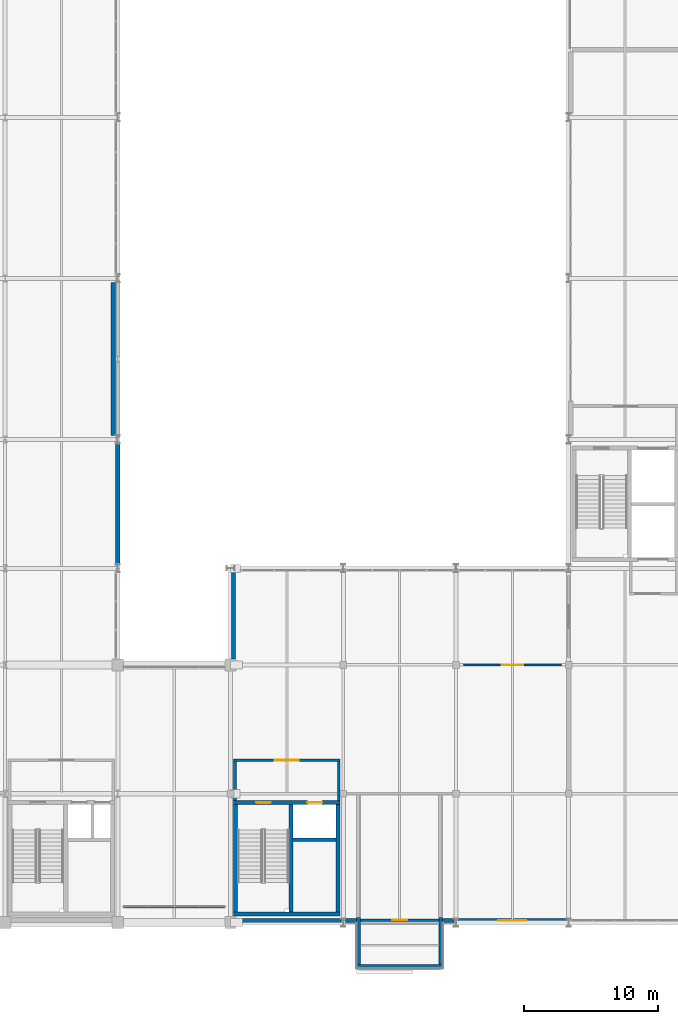
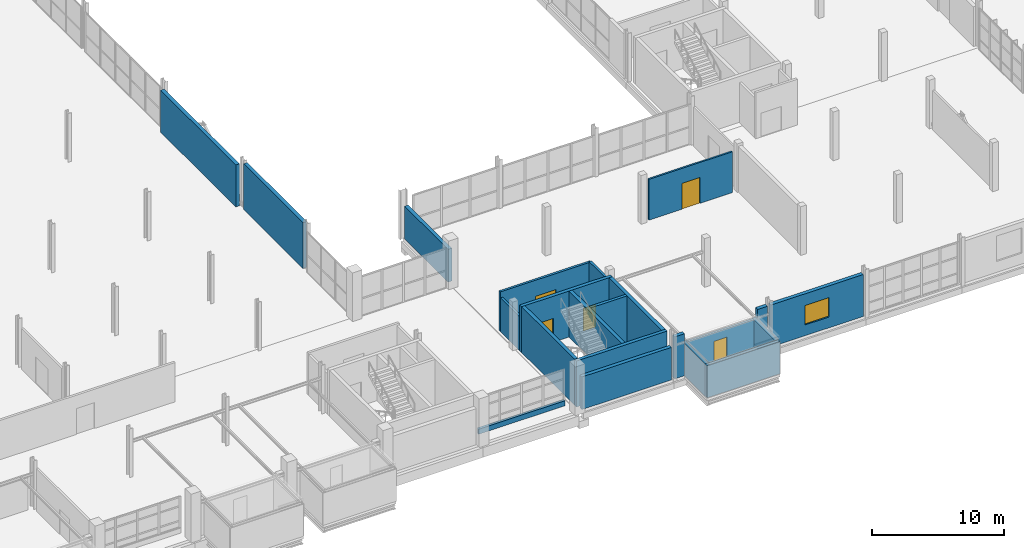
# One storey, part 98 of 109: 22 walls, 5 doors, 1 window, 6 openings.
"""IFC4 building model written with IfcOpenShell, lengths in metres."""

import ifcopenshell
import ifcopenshell.guid

model = None  # the IFC model being written
_history = None  # IfcOwnerHistory: only IFC2X3 demands one
_inside = {}  # id of a spatial element -> (the spatial element, [elements in it])
_under = {}  # id of a project, library or spatial element -> (it, [spatial elements below it])
_declared = {}  # id of a project -> (the project, [libraries it declares])
_typed = {}  # id of a type object -> (the type object, [elements of that type])
_made_of = {}  # id of a material, layer set ... -> (it, [elements and type objects made of it])


def new_model(schema):
    """Start an empty IFC model of exactly this schema.

    Asked for "IFC4X3", IfcOpenShell would pick the latest addendum, in which some entities
    have other attributes; the version numbers below select the first issue.
    IFC2X3 requires an IfcOwnerHistory on every rooted entity: one is made here for all.
    """
    global model, _history
    if schema == "IFC4X3":
        model = ifcopenshell.file(schema_version=(4, 3, 0, 0))
    else:
        model = ifcopenshell.file(schema=schema)
    _inside.clear()
    _under.clear()
    _declared.clear()
    _typed.clear()
    _made_of.clear()
    _history = None
    if model.schema == "IFC2X3":
        org = make("IfcOrganization", Name="unknown")
        user = make(
            "IfcPersonAndOrganization",
            ThePerson=make("IfcPerson", FamilyName="unknown"),
            TheOrganization=org,
        )
        app = make(
            "IfcApplication",
            ApplicationDeveloper=org,
            Version="unknown",
            ApplicationFullName="unknown",
            ApplicationIdentifier="unknown",
        )
        _history = make(
            "IfcOwnerHistory",
            OwningUser=user,
            OwningApplication=app,
            ChangeAction="ADDED",
            CreationDate=0,
        )
    return model


def make(cls, **values):
    """One entity of the class cls with the attributes given. An attribute that is None is left unset."""
    return model.create_entity(
        cls, **{name: value for name, value in values.items() if value is not None}
    )


def rooted(cls, **values):
    """An entity with a GlobalId (a new one), such as an element, a storey or a relation."""
    return make(cls, GlobalId=ifcopenshell.guid.new(), OwnerHistory=_history, **values)


def si_unit(unit_type, name, prefix=None):
    """IfcSIUnit, for example si_unit("LENGTHUNIT", "METRE", prefix="MILLI")."""
    return make("IfcSIUnit", UnitType=unit_type, Prefix=prefix, Name=name)


def assignment(units):
    """IfcUnitAssignment: the units of a project."""
    return None if units is None else make("IfcUnitAssignment", Units=units)


def point(xyz):
    """IfcCartesianPoint."""
    return None if xyz is None else make("IfcCartesianPoint", Coordinates=xyz)


def direction(xyz):
    """IfcDirection."""
    return None if xyz is None else make("IfcDirection", DirectionRatios=xyz)


def frame(location, z_axis=None, x_axis=None):
    """IfcAxis2Placement3D, a coordinate frame: its origin and axes. An axis left out is left unset."""
    return make(
        "IfcAxis2Placement3D",
        Location=point(location),
        Axis=direction(z_axis),
        RefDirection=direction(x_axis),
    )


def frame_2d(location, x_axis=None):
    """IfcAxis2Placement2D, a coordinate frame in the plane: its origin and x axis."""
    return make(
        "IfcAxis2Placement2D", Location=point(location), RefDirection=direction(x_axis)
    )


def origin():
    """The frame at (0, 0, 0) with its axes left unset."""
    return frame((0.0, 0.0, 0.0))


def place(relative_to, where):
    """IfcLocalPlacement: puts the frame where relative to a parent placement (None: the world)."""
    return make(
        "IfcLocalPlacement", PlacementRelTo=relative_to, RelativePlacement=where
    )


def context(
    kind, dimensions, precision=None, world=None, true_north=None, identifier=None
):
    """IfcGeometricRepresentationContext, for example the 3D "Model" context."""
    return make(
        "IfcGeometricRepresentationContext",
        ContextIdentifier=identifier,
        ContextType=kind,
        CoordinateSpaceDimension=dimensions,
        Precision=precision,
        WorldCoordinateSystem=world,
        TrueNorth=true_north,
    )


def subcontext(parent, identifier, kind, view, scale=None):
    """IfcGeometricRepresentationSubContext, for example "Body" below "Model"."""
    return make(
        "IfcGeometricRepresentationSubContext",
        ContextIdentifier=identifier,
        ContextType=kind,
        ParentContext=parent,
        TargetScale=scale,
        TargetView=view,
    )


def project(units=None, contexts=None):
    """IfcProject with its units and contexts."""
    return rooted(
        "IfcProject",
        Name="project",
        RepresentationContexts=contexts,
        UnitsInContext=assignment(units),
    )


def spatial(cls, under=None, at=None, **own):
    """A site, building, storey or space (cls), placed at a placement, below another one or the project."""
    s = rooted(cls, ObjectPlacement=at, **own)
    if under is not None:
        _under.setdefault(under.id(), (under, []))[1].append(s)
    return s


def profile(cls, at=None, kind="AREA", **sizes):
    """A parametric profile (cls). Its sizes go by their IFC names, for example OverallWidth=200.0."""
    return make(cls, ProfileType=kind, Position=at, **sizes)


def rectangle(**sizes):
    """IfcRectangleProfileDef."""
    return profile("IfcRectangleProfileDef", **sizes)


def extrude(swept, where, along, depth):
    """IfcExtrudedAreaSolid: the profile swept, set in the frame where, extruded along a direction by depth."""
    return make(
        "IfcExtrudedAreaSolid",
        SweptArea=swept,
        Position=where,
        ExtrudedDirection=direction(along),
        Depth=depth,
    )


def shape(context_of_items, identifier, shape_type, items):
    """IfcShapeRepresentation: the items that make up one representation, for example the "Body"."""
    return make(
        "IfcShapeRepresentation",
        ContextOfItems=context_of_items,
        RepresentationIdentifier=identifier,
        RepresentationType=shape_type,
        Items=items,
    )


def material(Name=None, Category=None):
    """IfcMaterial."""
    return make("IfcMaterial", Name=Name, Category=Category)


def layer(
    of_material, thickness, ventilated=None, Name=None, Category=None, Priority=None
):
    """IfcMaterialLayer: one layer of a wall or slab, of a material (None: an air gap)."""
    return make(
        "IfcMaterialLayer",
        Material=of_material,
        LayerThickness=thickness,
        IsVentilated=ventilated,
        Name=Name,
        Category=Category,
        Priority=Priority,
    )


def layer_set(layers, Name=None):
    """IfcMaterialLayerSet."""
    return make("IfcMaterialLayerSet", MaterialLayers=layers, LayerSetName=Name)


def made_of(thing, what):
    """Note that an element or type object is made of a material, layer set ...; save() writes the relation."""
    if what is not None:
        _made_of.setdefault(what.id(), (what, []))[1].append(thing)
    return thing


def type_object(cls, material=None, **own):
    """A type object (cls), such as IfcWallType, which elements share."""
    return made_of(rooted(cls, **own), material)


def element(
    cls,
    number,
    at=None,
    inside=None,
    cuts=None,
    type_object=None,
    material=None,
    context=None,
    identifier="Body",
    shape_type=None,
    held_by="IfcProductDefinitionShape",
    body=None,
    shapes=None,
    **own,
):
    """One element of the class cls, such as IfcWall. Its Tag is "e" and its number.

    at: its placement. inside: the storey or other place that contains it. cuts: it is an
    opening in that element (IfcRelVoidsElement). A single representation is given by context,
    identifier, shape_type and body (its items); several are given by shapes. held_by: the class
    of the entity that holds the representations. save() writes the other relations.
    """
    e = rooted(cls, Tag="e%d" % number, ObjectPlacement=at, **own)
    if body is not None:
        shapes = [shape(context, identifier, shape_type, body)]
    if shapes is not None:
        e.Representation = make(held_by, Representations=shapes)
    if inside is not None:
        _inside.setdefault(inside.id(), (inside, []))[1].append(e)
    if cuts is not None:
        rooted(
            "IfcRelVoidsElement", RelatingBuildingElement=cuts, RelatedOpeningElement=e
        )
    if type_object is not None:
        _typed.setdefault(type_object.id(), (type_object, []))[1].append(e)
    return made_of(e, material)


def fill(opening, filler):
    """IfcRelFillsElement: the door or window that sits in an opening."""
    return rooted(
        "IfcRelFillsElement",
        RelatingOpeningElement=opening,
        RelatedBuildingElement=filler,
    )


def aggregate(whole, parts):
    """IfcRelAggregates: a whole, such as a stair, and the parts it consists of."""
    return rooted("IfcRelAggregates", RelatingObject=whole, RelatedObjects=parts)


def save(model, path):
    """Write the relations noted so far, then the file.

    IfcRelAggregates (storeys below a building ...), IfcRelContainedInSpatialStructure (elements
    in a storey), IfcRelDefinesByType, IfcRelAssociatesMaterial and IfcRelDeclares: one each for
    every whole, place, type object, material and project.
    """
    for whole, parts in _under.values():
        aggregate(whole, parts)
    for where, things in _inside.values():
        rooted(
            "IfcRelContainedInSpatialStructure",
            RelatedElements=things,
            RelatingStructure=where,
        )
    for kind, things in _typed.values():
        rooted("IfcRelDefinesByType", RelatedObjects=things, RelatingType=kind)
    for what, things in _made_of.values():
        rooted("IfcRelAssociatesMaterial", RelatedObjects=things, RelatingMaterial=what)
    for by, libraries in _declared.values():
        rooted("IfcRelDeclares", RelatingContext=by, RelatedDefinitions=libraries)
    model.write(path)


model = new_model("IFC4")

# Units and contexts
model_context = context("Model", 3, precision=1e-05, world=origin(), true_north=direction((0.0, 1.0)))
body_context = subcontext(model_context, "Body", "Model", "MODEL_VIEW")
ifc_project = project(units=[si_unit("LENGTHUNIT", "METRE"), si_unit("AREAUNIT", "SQUARE_METRE"), si_unit("VOLUMEUNIT", "CUBIC_METRE"), si_unit("PLANEANGLEUNIT", "RADIAN"), si_unit("MASSUNIT", "GRAM", prefix="KILO")], contexts=[model_context])

# Site, building, storey
site_placement = place(None, origin())
site = spatial("IfcSite", under=ifc_project, at=site_placement, CompositionType="ELEMENT")
building_placement = place(site_placement, origin())
building = spatial("IfcBuilding", under=site, at=building_placement, Name="Veltarok Museum of Natural Sciences", CompositionType="ELEMENT")
storey_placement = place(building_placement, frame((0.0, 0.0, 17.39990234375)))
storey = spatial("IfcBuildingStorey", under=building, at=storey_placement, Name="L03", CompositionType="ELEMENT", Elevation=17.39990234375)

# Walls
ifc_material_1 = material(Name="Precast concrete C40/50", Category="concrete")
ifc_layer_1 = layer(ifc_material_1, 0.280029296875)
ifc_layer_set_1 = layer_set([ifc_layer_1], Name="Precast concrete C40/50")
wall_type_1 = type_object("IfcWallType", Name="Cabinet Box Insulated Backup Wall 280", PredefinedType="SOLIDWALL", material=ifc_layer_set_1)
wall_1_placement = place(storey_placement, frame((116.60009765625, -3.260009765625, 0.0), z_axis=(0.0, 0.0, 1.0), x_axis=(1.0, 0.0, 0.0)))
element("IfcWall", 1, at=wall_1_placement, inside=storey, type_object=wall_type_1, Name="Cabinet Box Wall DB-18-S", PredefinedType="SOLIDWALL", context=body_context, shape_type="SweptSolid", body=[
    extrude(rectangle(XDim=6.39990234375, YDim=0.280029296875, at=frame_2d((3.199951171875, 0.0))), origin(), (0.0, 0.0, 1.0), 2.989990234375),
])
for number, where, z_axis, x_axis, name in (
    (2, (116.739990234375, 0.360107421875, 0.0), (0.0, 0.0, 1.0), (0.0, -1.0, 0.0), "Cabinet Box Wall DB-18-W"),
    (3, (122.860107421875, -3.1201171875, 0.0), (0.0, 0.0, 1.0), (0.0, 1.0, 0.0), "Cabinet Box Wall DB-18-E"),
):
    element("IfcWall", number, at=place(storey_placement, frame(where, z_axis=z_axis, x_axis=x_axis)), inside=storey, type_object=wall_type_1, Name=name, PredefinedType="SOLIDWALL", context=body_context, shape_type="SweptSolid", body=[
        extrude(rectangle(XDim=3.480224609375, YDim=0.280029296875, at=frame_2d((1.740234375, 0.0))), origin(), (0.0, 0.0, 1.0), 2.989990234375),
    ])

# Wall, opening, door
ifc_material_2 = material(Name="Acoustic gypsum and mineral wool")
ifc_layer_2 = layer(ifc_material_2, 0.14990234375)
ifc_layer_set_2 = layer_set([ifc_layer_2], Name="Acoustic gypsum and mineral wool")
wall_type_2 = type_object("IfcWallType", Name="Conservation Laboratory Partition 150", PredefinedType="PARTITIONING", material=ifc_layer_set_2)
wall_2_placement = place(storey_placement, frame((124.550048828125, 19.199951171875, 0.0), z_axis=(0.0, 0.0, 1.0), x_axis=(1.0, 0.0, 0.0)))
wall_2 = element("IfcWall", 4, at=wall_2_placement, inside=storey, type_object=wall_type_2, Name="Interior Partition L03-050", PredefinedType="PARTITIONING", context=body_context, shape_type="SweptSolid", body=[
    extrude(rectangle(XDim=7.300048828125, YDim=0.14990234375, at=frame_2d((3.64990234375, 0.0))), origin(), (0.0, 0.0, 1.0), 3.781982421875),
])
opening_1_placement = place(wall_2_placement, frame((2.85009765625, 0.0, 0.0)))
opening_1 = element("IfcOpeningElement", 5, at=opening_1_placement, cuts=wall_2, Name="Opening D-L03-176", PredefinedType="OPENING", context=body_context, shape_type="SweptSolid", body=[
    extrude(rectangle(XDim=1.60009765625, YDim=2.39990234375, at=frame_2d((0.800048828125, 1.199951171875))), frame((0.0, 0.0849609375, 0.0), z_axis=(0.0, -1.0, 0.0), x_axis=(1.0, 0.0, 0.0)), (0.0, 0.0, 1.0), 0.169921875),
])
ifc_material_3 = material(Name="Solid European oak and safety glass", Category="glass")
door_type_1 = type_object("IfcDoorType", Name="Gallery Double Swing Door 1600x2400", OperationType="NOTDEFINED", PredefinedType="DOOR", material=ifc_material_3)
door_1_placement = place(opening_1_placement, origin())
door_1 = element("IfcDoor", 6, at=door_1_placement, inside=storey, type_object=door_type_1, Name="Interior Door D-L03-176", OperationType="DOUBLE_DOOR_SINGLE_SWING", OverallHeight=2.39990234375, OverallWidth=1.60009765625, PredefinedType="DOOR", context=body_context, shape_type="SweptSolid", body=[
    extrude(rectangle(XDim=1.60009765625, YDim=2.39990234375, at=frame_2d((0.800048828125, 1.199951171875))), frame((0.0, 0.02490234375, 0.0), z_axis=(0.0, -1.0, 0.0), x_axis=(1.0, 0.0, 0.0)), (0.0, 0.0, 1.0), 0.050048828125),
])
fill(opening_1, door_1)

ifc_layer_3 = layer(ifc_material_2, 0.179931640625)
ifc_layer_set_3 = layer_set([ifc_layer_3], Name="Acoustic gypsum and mineral wool")
wall_type_3 = type_object("IfcWallType", Name="Exhibition Gallery Partition 180", PredefinedType="PARTITIONING", material=ifc_layer_set_3)
wall_3_placement = place(storey_placement, frame((116.8798828125, 0.179931640625, 0.0), z_axis=(0.0, 0.0, 1.0), x_axis=(1.0, 0.0, 0.0)))
wall_3 = element("IfcWall", 7, at=wall_3_placement, inside=storey, type_object=wall_type_3, Name="Cabinet Threshold Partition DB-18", PredefinedType="PARTITIONING", context=body_context, shape_type="SweptSolid", body=[
    extrude(rectangle(XDim=5.840087890625, YDim=0.179931640625, at=frame_2d((2.919921875, 0.0))), origin(), (0.0, 0.0, 1.0), 2.989990234375),
])
opening_2_placement = place(wall_3_placement, frame((2.3701171875, 0.0, 0.0)))
opening_2 = element("IfcOpeningElement", 8, at=opening_2_placement, cuts=wall_3, Name="Opening D-L03-089", PredefinedType="OPENING", context=body_context, shape_type="SweptSolid", body=[
    extrude(rectangle(XDim=1.10009765625, YDim=2.199951171875, at=frame_2d((0.550048828125, 1.10009765625))), frame((0.0, 0.10009765625, 0.0), z_axis=(0.0, -1.0, 0.0), x_axis=(1.0, 0.0, 0.0)), (0.0, 0.0, 1.0), 0.199951171875),
])
ifc_material_4 = material(Name="Airtight powder-coated steel", Category="steel")
door_type_2 = type_object("IfcDoorType", Name="Cabinet Box Conservation Door 1100x2200", OperationType="NOTDEFINED", PredefinedType="DOOR", material=ifc_material_4)
door_2_placement = place(opening_2_placement, origin())
door_2 = element("IfcDoor", 9, at=door_2_placement, inside=storey, type_object=door_type_2, Name="Cabinet Conservation Door DB-18", OperationType="SINGLE_SWING_LEFT", OverallHeight=2.199951171875, OverallWidth=1.10009765625, PredefinedType="DOOR", context=body_context, shape_type="SweptSolid", body=[
    extrude(rectangle(XDim=1.10009765625, YDim=2.199951171875, at=frame_2d((0.550048828125, 1.10009765625))), frame((0.0, 0.02490234375, 0.0), z_axis=(0.0, -1.0, 0.0), x_axis=(1.0, 0.0, 0.0)), (0.0, 0.0, 1.0), 0.050048828125),
])
fill(opening_2, door_2)

ifc_material_5 = material(Name="Concrete C35/45", Category="concrete")
ifc_layer_4 = layer(ifc_material_5, 0.199951171875)
ifc_layer_set_4 = layer_set([ifc_layer_4], Name="Concrete C35/45")
wall_type_4 = type_object("IfcWallType", Name="Firefighting Lobby Compartment Wall 200", PredefinedType="SOLIDWALL", material=ifc_layer_set_4)
wall_4_placement = place(storey_placement, frame((107.429931640625, 12.10009765625, 0.0), z_axis=(0.0, 0.0, 1.0), x_axis=(1.0, 0.0, 0.0)))
wall_4 = element("IfcWall", 10, at=wall_4_placement, inside=storey, type_object=wall_type_4, Name="Firefighting Lobby Wall C4 L03 N", PredefinedType="SOLIDWALL", context=body_context, shape_type="SweptSolid", body=[
    extrude(rectangle(XDim=7.940185546875, YDim=0.199951171875, at=frame_2d((3.97021484375, 0.0))), origin(), (0.0, 0.0, 1.0), 3.68212890625),
])
opening_3_placement = place(wall_4_placement, frame((3.070068359375, 0.0, 0.0)))
opening_3 = element("IfcOpeningElement", 11, at=opening_3_placement, cuts=wall_4, Name="Opening D-L03-053", PredefinedType="OPENING", context=body_context, shape_type="SweptSolid", body=[
    extrude(rectangle(XDim=1.800048828125, YDim=2.199951171875, at=frame_2d((0.89990234375, 1.10009765625))), frame((0.0, 0.10986328125, 0.0), z_axis=(0.0, -1.0, 0.0), x_axis=(1.0, 0.0, 0.0)), (0.0, 0.0, 1.0), 0.219970703125),
])
ifc_material_6 = material(Name="Fire-rated steel and vision glass", Category="steel")
door_type_3 = type_object("IfcDoorType", Name="Fire Lobby Double Door 1800x2200", OperationType="NOTDEFINED", PredefinedType="DOOR", material=ifc_material_6)
door_3_placement = place(opening_3_placement, origin())
door_3 = element("IfcDoor", 12, at=door_3_placement, inside=storey, type_object=door_type_3, Name="Firefighting Lobby Entrance Door C4 L03", OperationType="DOUBLE_DOOR_SINGLE_SWING", OverallHeight=2.199951171875, OverallWidth=1.800048828125, PredefinedType="DOOR", context=body_context, shape_type="SweptSolid", body=[
    extrude(rectangle(XDim=1.800048828125, YDim=2.199951171875, at=frame_2d((0.89990234375, 1.10009765625))), frame((0.0, 0.02490234375, 0.0), z_axis=(0.0, -1.0, 0.0), x_axis=(1.0, 0.0, 0.0)), (0.0, 0.0, 1.0), 0.050048828125),
])
fill(opening_3, door_3)

# Walls
wall_5_placement = place(storey_placement, frame((107.530029296875, 9.10009765625, 0.0), z_axis=(0.0, 0.0, 1.0), x_axis=(0.0, 1.0, 0.0)))
element("IfcWall", 13, at=wall_5_placement, inside=storey, type_object=wall_type_4, Name="Firefighting Lobby Wall C4 L03 W", PredefinedType="SOLIDWALL", context=body_context, shape_type="SweptSolid", body=[
    extrude(rectangle(XDim=2.89990234375, YDim=0.199951171875, at=frame_2d((1.449951171875, 0.0))), origin(), (0.0, 0.0, 1.0), 3.132080078125),
])
wall_6_placement = place(storey_placement, frame((115.27001953125, 12.0, 0.0), z_axis=(0.0, 0.0, 1.0), x_axis=(0.0, -1.0, 0.0)))
element("IfcWall", 14, at=wall_6_placement, inside=storey, type_object=wall_type_4, Name="Firefighting Lobby Wall C4 L03 E", PredefinedType="SOLIDWALL", context=body_context, shape_type="SweptSolid", body=[
    extrude(rectangle(XDim=2.89990234375, YDim=0.199951171875, at=frame_2d((1.449951171875, 0.0))), origin(), (0.0, 0.0, 1.0), 3.781982421875),
])
ifc_layer_5 = layer(ifc_material_1, 0.320068359375)
ifc_layer_set_5 = layer_set([ifc_layer_5], Name="Precast concrete C40/50")
wall_type_5 = type_object("IfcWallType", Name="Insulated Precast Facade Wall 320", PredefinedType="SOLIDWALL", material=ifc_layer_set_5)
wall_7_placement = place(storey_placement, frame((107.625, 0.159912109375, 0.0), z_axis=(0.0, 0.0, 1.0), x_axis=(1.0, 0.0, 0.0)))
element("IfcWall", 15, at=wall_7_placement, inside=storey, type_object=wall_type_5, Name="Core C4 South Facade Wall L03", PredefinedType="SOLIDWALL", context=body_context, shape_type="SweptSolid", body=[
    extrude(rectangle(XDim=7.824951171875, YDim=0.320068359375, at=frame_2d((3.91259765625, 0.0))), origin(), (0.0, 0.0, 1.0), 3.02001953125),
])
for number, where, z_axis, x_axis, name in (
    (16, (115.75, 0.159912109375, 0.0), (0.0, 0.0, 1.0), (1.0, 0.0, 0.0), "V5 Cabinet Collar Wall L03 14-15L"),
    (17, (123.0, 0.159912109375, 0.0), (0.0, 0.0, 1.0), (1.0, 0.0, 0.0), "V5 Cabinet Collar Wall L03 14-15R"),
):
    element("IfcWall", number, at=place(storey_placement, frame(where, z_axis=z_axis, x_axis=x_axis)), inside=storey, type_object=wall_type_5, Name=name, PredefinedType="SOLIDWALL", context=body_context, shape_type="SweptSolid", body=[
        extrude(rectangle(XDim=0.85009765625, YDim=0.320068359375, at=frame_2d((0.425048828125, 0.0))), origin(), (0.0, 0.0, 1.0), 3.880126953125),
    ])

# Wall, opening, window
wall_8_placement = place(storey_placement, frame((124.14990234375, 0.159912109375, 0.0), z_axis=(0.0, 0.0, 1.0), x_axis=(1.0, 0.0, 0.0)))
wall_8 = element("IfcWall", 18, at=wall_8_placement, inside=storey, type_object=wall_type_5, Name="V5 South Lab Facade Wall L03 15-16", PredefinedType="SOLIDWALL", context=body_context, shape_type="SweptSolid", body=[
    extrude(rectangle(XDim=8.10009765625, YDim=0.320068359375, at=frame_2d((4.050048828125, 0.0))), origin(), (0.0, 0.0, 1.0), 3.880126953125),
])
opening_4_placement = place(wall_8_placement, frame((3.0, 0.0, 1.0)))
opening_4 = element("IfcOpeningElement", 19, at=opening_4_placement, cuts=wall_8, Name="Opening W-L03-022", PredefinedType="OPENING", context=body_context, shape_type="SweptSolid", body=[
    extrude(rectangle(XDim=2.10009765625, YDim=1.800048828125, at=frame_2d((1.050048828125, 0.89990234375))), frame((0.0, 0.169921875, 0.0), z_axis=(0.0, -1.0, 0.0), x_axis=(1.0, 0.0, 0.0)), (0.0, 0.0, 1.0), 0.340087890625),
])
ifc_material_7 = material(Name="Low-iron triple insulated glass", Category="glass")
window_type = type_object("IfcWindowType", Name="Curatorial Office Window 2100x1800", PartitioningType="SINGLE_PANEL", PredefinedType="WINDOW", material=ifc_material_7)
window_placement = place(opening_4_placement, origin())
window = element("IfcWindow", 20, at=window_placement, inside=storey, type_object=window_type, Name="Lab Window L03 15-16", OverallHeight=1.800048828125, OverallWidth=2.10009765625, PartitioningType="SINGLE_PANEL", PredefinedType="WINDOW", context=body_context, shape_type="SweptSolid", body=[
    extrude(rectangle(XDim=2.10009765625, YDim=1.800048828125, at=frame_2d((1.050048828125, 0.89990234375))), frame((0.0, 0.030029296875, 0.0), z_axis=(0.0, -1.0, 0.0), x_axis=(1.0, 0.0, 0.0)), (0.0, 0.0, 1.0), 0.06005859375),
])
fill(opening_4, window)

# Walls
wall_9_placement = place(storey_placement, frame((107.419921875, 26.25, 0.0), z_axis=(0.0, 0.0, 1.0), x_axis=(0.0, -1.0, 0.0)))
element("IfcWall", 21, at=wall_9_placement, inside=storey, type_object=wall_type_5, Name="V5 Courtyard West End Wall L03 13/C-D", PredefinedType="SOLIDWALL", context=body_context, shape_type="SweptSolid", body=[
    extrude(rectangle(XDim=6.60009765625, YDim=0.320068359375, at=frame_2d((3.300048828125, 0.0))), origin(), (0.0, 0.0, 1.0), 3.031982421875),
])
wall_10_placement = place(storey_placement, frame((98.4599609375, 36.300048828125, 0.0), z_axis=(0.0, 0.0, 1.0), x_axis=(0.0, 1.0, 0.0)))
element("IfcWall", 22, at=wall_10_placement, inside=storey, type_object=wall_type_5, Name="Central Hall Braced Bay Backup Wall L03 12/E-F", PredefinedType="SOLIDWALL", context=body_context, shape_type="SweptSolid", body=[
    extrude(rectangle(XDim=11.39990234375, YDim=0.320068359375, at=frame_2d((5.699951171875, 0.0))), origin(), (0.0, 0.0, 1.0), 3.880126953125),
])
ifc_material_8 = material(Name="Concrete C40/50", Category="concrete")
ifc_layer_6 = layer(ifc_material_8, 0.320068359375)
ifc_layer_set_6 = layer_set([ifc_layer_6], Name="Concrete C40/50")
wall_type_6 = type_object("IfcWallType", Name="Interior Lateral Concrete Shear Wall 320", PredefinedType="SHEAR", material=ifc_layer_set_6)
wall_11_placement = place(storey_placement, frame((98.800048828125, 26.699951171875, 0.0), z_axis=(0.0, 0.0, 1.0), x_axis=(0.0, 1.0, 0.0)))
element("IfcWall", 23, at=wall_11_placement, inside=storey, type_object=wall_type_6, Name="Interior Shear Wall SW1 L03", PredefinedType="SHEAR", context=body_context, shape_type="SweptSolid", body=[
    extrude(rectangle(XDim=9.0, YDim=0.320068359375, at=frame_2d((4.5, 0.0))), origin(), (0.0, 0.0, 1.0), 4.25),
])
ifc_layer_7 = layer(ifc_material_8, 0.25)
ifc_layer_set_7 = layer_set([ifc_layer_7], Name="Concrete C40/50")
wall_type_7 = type_object("IfcWallType", Name="Lift Shaft Concrete Shear Wall 250", PredefinedType="SHEAR", material=ifc_layer_set_7)
wall_12_placement = place(storey_placement, frame((111.8701171875, 6.175048828125, 0.0), z_axis=(0.0, 0.0, 1.0), x_axis=(1.0, 0.0, 0.0)))
element("IfcWall", 24, at=wall_12_placement, inside=storey, type_object=wall_type_7, Name="Lift Shaft Back Wall C4 L03", PredefinedType="SHEAR", context=body_context, shape_type="SweptSolid", body=[
    extrude(rectangle(XDim=3.199951171875, YDim=0.25, at=frame_2d((1.60009765625, 0.0))), origin(), (0.0, 0.0, 1.0), 4.25),
])
ifc_layer_8 = layer(ifc_material_8, 0.300048828125)
ifc_layer_set_8 = layer_set([ifc_layer_8], Name="Concrete C40/50")
wall_type_8 = type_object("IfcWallType", Name="Protected Core Shear Wall 300", PredefinedType="SHEAR", material=ifc_layer_set_8)
wall_13_placement = place(storey_placement, frame((107.429931640625, 0.64990234375, 0.0), z_axis=(0.0, 0.0, 1.0), x_axis=(1.0, 0.0, 0.0)))
element("IfcWall", 25, at=wall_13_placement, inside=storey, type_object=wall_type_8, Name="Core Shear Wall C4 L03 S", PredefinedType="SHEAR", context=body_context, shape_type="SweptSolid", body=[
    extrude(rectangle(XDim=7.940185546875, YDim=0.300048828125, at=frame_2d((3.97021484375, 0.0))), origin(), (0.0, 0.0, 1.0), 4.25),
])

# Wall, openings, doors
wall_14_placement = place(storey_placement, frame((115.3701171875, 8.949951171875, 0.0), z_axis=(0.0, 0.0, 1.0), x_axis=(-1.0, 0.0, 0.0)))
wall_14 = element("IfcWall", 26, at=wall_14_placement, inside=storey, type_object=wall_type_8, Name="Core Shear Wall C4 L03 N", PredefinedType="SHEAR", context=body_context, shape_type="SweptSolid", body=[
    extrude(rectangle(XDim=7.940185546875, YDim=0.300048828125, at=frame_2d((3.97021484375, 0.0))), origin(), (0.0, 0.0, 1.0), 4.25),
])
opening_5_placement = place(wall_14_placement, frame((5.169921875, 0.0, 0.0)))
opening_5 = element("IfcOpeningElement", 27, at=opening_5_placement, cuts=wall_14, Name="Opening D-L03-052", PredefinedType="OPENING", context=body_context, shape_type="SweptSolid", body=[
    extrude(rectangle(XDim=1.10009765625, YDim=2.199951171875, at=frame_2d((0.550048828125, 1.10009765625))), frame((0.0, 0.16015625, 0.0), z_axis=(0.0, -1.0, 0.0), x_axis=(1.0, 0.0, 0.0)), (0.0, 0.0, 1.0), 0.320068359375),
])
opening_6_placement = place(wall_14_placement, frame((1.35009765625, 0.0, 0.0)))
opening_6 = element("IfcOpeningElement", 28, at=opening_6_placement, cuts=wall_14, Name="Opening LD-L03-LP-04", PredefinedType="OPENING", context=body_context, shape_type="SweptSolid", body=[
    extrude(rectangle(XDim=1.10009765625, YDim=2.10009765625, at=frame_2d((0.550048828125, 1.050048828125))), frame((0.0, 0.16015625, 0.0), z_axis=(0.0, -1.0, 0.0), x_axis=(1.0, 0.0, 0.0)), (0.0, 0.0, 1.0), 0.320068359375),
])
ifc_material_9 = material(Name="Fire-rated painted steel", Category="steel")
door_type_4 = type_object("IfcDoorType", Name="Fire Core Single Escape Door 1100x2200", OperationType="NOTDEFINED", PredefinedType="DOOR", material=ifc_material_9)
door_4_placement = place(opening_5_placement, origin())
door_4 = element("IfcDoor", 29, at=door_4_placement, inside=storey, type_object=door_type_4, Name="Protected Stair Door ST-04 L03", OperationType="SINGLE_SWING_LEFT", OverallHeight=2.199951171875, OverallWidth=1.10009765625, PredefinedType="DOOR", context=body_context, shape_type="SweptSolid", body=[
    extrude(rectangle(XDim=1.10009765625, YDim=2.199951171875, at=frame_2d((0.550048828125, 1.10009765625))), frame((0.0, 0.02490234375, 0.0), z_axis=(0.0, -1.0, 0.0), x_axis=(1.0, 0.0, 0.0)), (0.0, 0.0, 1.0), 0.050048828125),
])
fill(opening_5, door_4)
ifc_material_10 = material(Name="Brushed stainless steel", Category="steel")
door_type_5 = type_object("IfcDoorType", Name="Passenger and Firefighting Lift Landing Door 1100x2100", OperationType="SLIDING_TO_LEFT", PredefinedType="DOOR", material=ifc_material_10)
door_5_placement = place(opening_6_placement, origin())
door_5 = element("IfcDoor", 30, at=door_5_placement, inside=storey, type_object=door_type_5, Name="Sliding Lift Landing Door LD-L03-LP-04", OperationType="SLIDING_TO_LEFT", OverallHeight=2.10009765625, OverallWidth=1.10009765625, PredefinedType="DOOR", context=body_context, shape_type="SweptSolid", body=[
    extrude(rectangle(XDim=1.10009765625, YDim=2.10009765625, at=frame_2d((0.550048828125, 1.050048828125))), frame((0.0, 0.02490234375, 0.0), z_axis=(0.0, -1.0, 0.0), x_axis=(1.0, 0.0, 0.0)), (0.0, 0.0, 1.0), 0.050048828125),
])
fill(opening_6, door_5)

# Walls
for number, where, z_axis, x_axis, name in (
    (31, (107.580078125, 8.800048828125, 0.0), (0.0, 0.0, 1.0), (0.0, -1.0, 0.0), "Core Shear Wall C4 L03 W"),
    (32, (115.219970703125, 0.800048828125, 0.0), (0.0, 0.0, 1.0), (0.0, 1.0, 0.0), "Core Shear Wall C4 L03 E"),
    (33, (111.719970703125, 0.800048828125, 0.0), (0.0, 0.0, 1.0), (0.0, 1.0, 0.0), "Core Shear Wall C4 L03 DIV"),
):
    element("IfcWall", number, at=place(storey_placement, frame(where, z_axis=z_axis, x_axis=x_axis)), inside=storey, type_object=wall_type_8, Name=name, PredefinedType="SHEAR", context=body_context, shape_type="SweptSolid", body=[
        extrude(rectangle(XDim=8.0, YDim=0.300048828125, at=frame_2d((4.0, 0.0))), origin(), (0.0, 0.0, 1.0), 4.25),
    ])
ifc_layer_9 = layer(ifc_material_1, 0.219970703125)
ifc_layer_set_9 = layer_set([ifc_layer_9], Name="Precast concrete C40/50")
wall_type_9 = type_object("IfcWallType", Name="Terrace Upstand Curb Wall 220", PredefinedType="PARAPET", material=ifc_layer_set_9)
wall_15_placement = place(storey_placement, frame((99.22509765625, 1.199951171875, -0.001953125), z_axis=(0.0, 0.0, 1.0), x_axis=(1.0, 0.0, 0.0)))
element("IfcWall", 34, at=wall_15_placement, inside=storey, type_object=wall_type_9, Name="Curtain Wall Sill Upstand CW-0006", PredefinedType="PARAPET", context=body_context, shape_type="SweptSolid", body=[
    extrude(rectangle(XDim=7.5498046875, YDim=0.219970703125, at=frame_2d((3.77490234375, 0.0))), origin(), (0.0, 0.0, 1.0), 0.466064453125),
])

save(model, "model.ifc")
